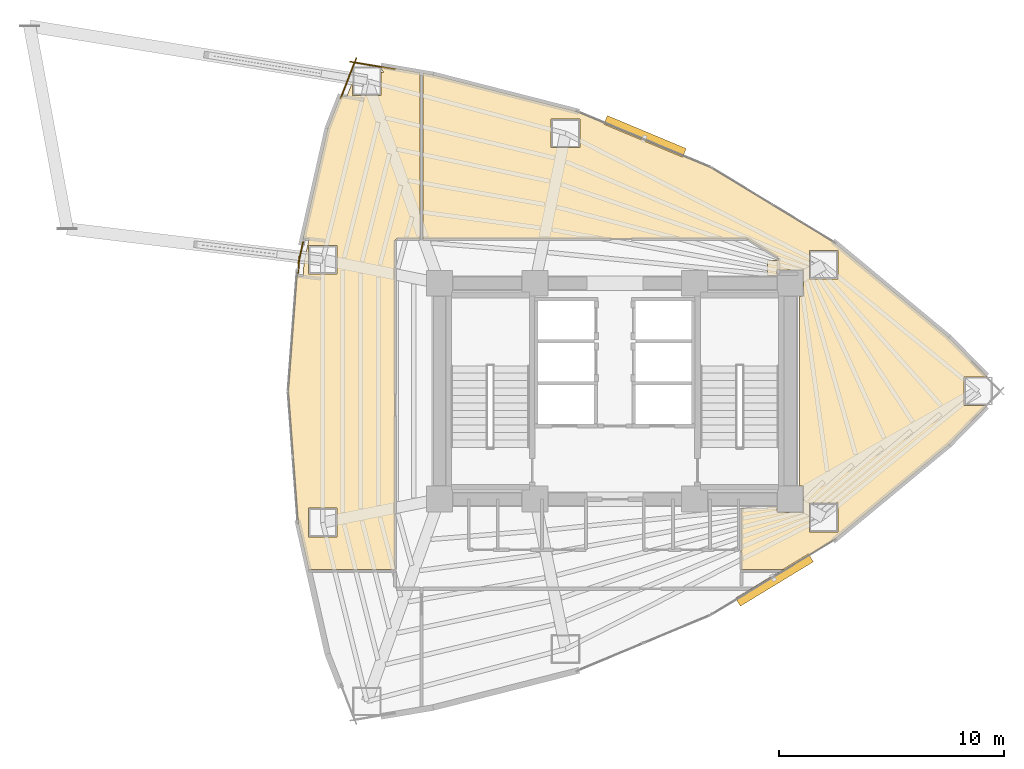
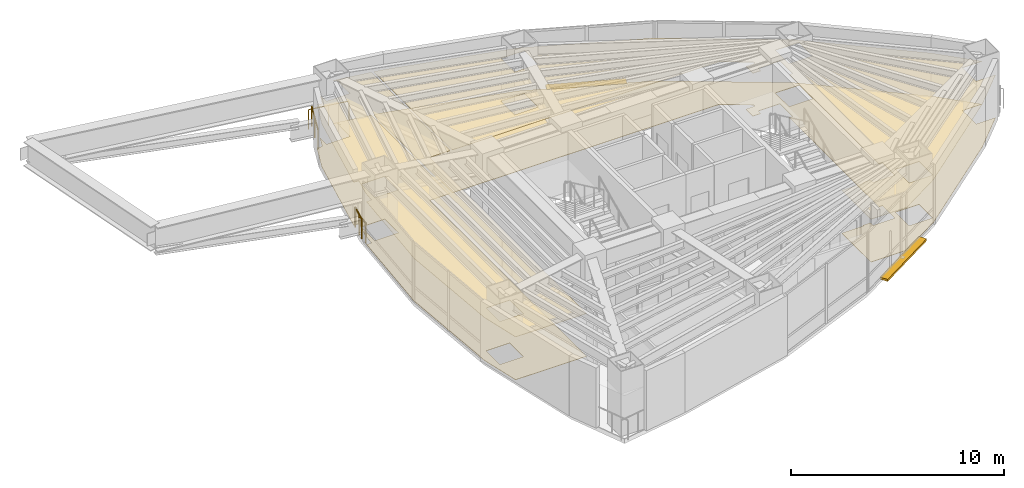
# One storey, part 16 of 17: 4 coverings, 4 railings, 2 shading devices.
"""IFC4 building model written with IfcOpenShell, lengths in metres."""

from ifc_helpers import new_model, si_unit, direction, frame, origin, origin_2d, place, context, subcontext, project, spatial, polyline, rectangle, circle, outline, extrude, material, layer, layer_set, type_object, element, save


model = new_model("IFC4")

# Units and contexts
model_context = context("Model", 3, precision=1e-05, world=origin(), true_north=direction((0.0, 1.0)))
body_context = subcontext(model_context, "Body", "Model", "MODEL_VIEW")
ifc_project = project(units=[si_unit("LENGTHUNIT", "METRE"), si_unit("AREAUNIT", "SQUARE_METRE"), si_unit("VOLUMEUNIT", "CUBIC_METRE"), si_unit("PLANEANGLEUNIT", "RADIAN"), si_unit("MASSUNIT", "GRAM", prefix="KILO")], contexts=[model_context])

# Site, building, storey
site_placement = place(None, origin())
site = spatial("IfcSite", under=ifc_project, at=site_placement, CompositionType="ELEMENT")
building_placement = place(site_placement, origin())
building = spatial("IfcBuilding", under=site, at=building_placement, Name="Menara Vayukalpa", CompositionType="ELEMENT")
storey_placement = place(building_placement, frame((0.0, 0.0, 100.260009765625)))
storey = spatial("IfcBuildingStorey", under=building, at=storey_placement, Name="L24", CompositionType="ELEMENT", Elevation=100.260009765625)

# Coverings
ifc_material_1 = material(Name="Mineral Fibre Acoustic Ceiling Tile", Category="masonry")
ifc_layer_1 = layer(ifc_material_1, 0.02490234375)
ifc_layer_set_1 = layer_set([ifc_layer_1], Name="Mineral Fibre Acoustic Ceiling Tile")
covering_type_1 = type_object("IfcCoveringType", Name="COV-CLG1", PredefinedType="CEILING", material=ifc_layer_set_1)
covering_1_placement = place(storey_placement, frame((0.0, 0.0, 2.449951171875)))
element("IfcCovering", 1, at=covering_1_placement, inside=storey, type_object=covering_type_1, Name="L24 Corporate Training Classroom Acoustic Ceiling", PredefinedType="CEILING", context=body_context, shape_type="SweptSolid", body=[
    extrude(outline(polyline([(32.81005859375, 16.85009765625), (32.81005859375, 16.610107421875), (33.989990234375, 16.610107421875), (33.989990234375, 17.7900390625), (33.81005859375, 17.7900390625), (33.81005859375, 26.2099609375), (33.989990234375, 26.2099609375), (33.989990234375, 27.389892578125), (32.81005859375, 27.389892578125), (32.81005859375, 27.14990234375), (32.389892578125, 27.14990234375), (32.389892578125, 27.81005859375), (32.8701171875, 27.81005859375), (32.8701171875, 27.89111328125), (32.86962890625, 27.8984375), (32.868408203125, 27.905517578125), (32.86669921875, 27.912353515625), (32.8642578125, 27.919189453125), (32.861083984375, 27.925537109375), (32.857177734375, 27.931640625), (32.852783203125, 27.937255859375), (32.847900390625, 27.9423828125), (32.84228515625, 27.947021484375), (32.836181640625, 27.951171875), (31.505126953125, 28.759765625), (31.49951171875, 28.762939453125), (31.49365234375, 28.765380859375), (31.487548828125, 28.767333984375), (31.481201171875, 28.768798828125), (31.47509765625, 28.769775390625), (31.468505859375, 28.77001953125), (17.070068359375, 28.77001953125), (17.069091796875, 28.77001953125), (17.068115234375, 28.770263671875), (17.067138671875, 28.7705078125), (17.066162109375, 28.770751953125), (17.065185546875, 28.771240234375), (17.064453125, 28.771728515625), (17.063720703125, 28.772216796875), (17.06298828125, 28.77294921875), (17.062255859375, 28.773681640625), (17.061767578125, 28.7744140625), (17.061279296875, 28.775390625), (17.060791015625, 28.776123046875), (17.060302734375, 28.777099609375), (17.060302734375, 28.778076171875), (17.06005859375, 28.779052734375), (17.06005859375, 28.780029296875), (17.06005859375, 36.133544921875), (17.06005859375, 36.134521484375), (17.060302734375, 36.135498046875), (17.060302734375, 36.136474609375), (17.060791015625, 36.137451171875), (17.06103515625, 36.13818359375), (17.0615234375, 36.13916015625), (17.062255859375, 36.139892578125), (17.062744140625, 36.140625), (17.0634765625, 36.14111328125), (17.064208984375, 36.141845703125), (17.065185546875, 36.142333984375), (17.06591796875, 36.142822265625), (17.06689453125, 36.14306640625), (17.06787109375, 36.143310546875), (17.06884765625, 36.1435546875), (17.06982421875, 36.1435546875), (17.07080078125, 36.1435546875), (17.07177734375, 36.1435546875), (17.5078125, 36.0693359375), (17.5087890625, 36.069091796875), (23.903564453125, 34.438232421875), (23.90478515625, 34.437744140625), (29.860595703125, 31.946533203125), (29.861328125, 31.9462890625), (29.862060546875, 31.94580078125), (35.379638671875, 28.593994140625), (35.380859375, 28.59326171875), (40.46044921875, 24.380615234375), (40.461181640625, 24.3798828125), (42.169677734375, 22.639892578125), (41.121826171875, 22.639892578125), (41.121826171875, 21.360107421875), (42.169677734375, 21.360107421875), (40.461181640625, 19.6201171875), (40.46044921875, 19.619384765625), (35.380859375, 15.40673828125), (35.379638671875, 15.406005859375), (33.1474609375, 14.050048828125), (33.146484375, 14.049560546875), (33.1455078125, 14.049072265625), (33.144775390625, 14.048828125), (33.143798828125, 14.048583984375), (33.142822265625, 14.048583984375), (33.141845703125, 14.048583984375), (33.140869140625, 14.048583984375), (33.139892578125, 14.048828125), (33.138916015625, 14.049072265625), (33.137939453125, 14.04931640625), (33.13720703125, 14.0498046875), (33.132080078125, 14.052978515625), (33.126708984375, 14.055419921875), (33.12109375, 14.057373046875), (33.115478515625, 14.058837890625), (33.109619140625, 14.059814453125), (33.103515625, 14.06005859375), (31.22998046875, 14.06005859375), (31.22900390625, 14.06005859375), (31.22802734375, 14.060302734375), (31.22705078125, 14.060302734375), (31.226318359375, 14.060791015625), (31.225341796875, 14.061279296875), (31.224365234375, 14.061767578125), (31.2236328125, 14.062255859375), (31.222900390625, 14.06298828125), (31.222412109375, 14.063720703125), (31.2216796875, 14.064453125), (31.22119140625, 14.065185546875), (31.220703125, 14.066162109375), (31.220458984375, 14.067138671875), (31.22021484375, 14.068115234375), (31.219970703125, 14.069091796875), (31.219970703125, 14.070068359375), (31.219970703125, 14.849609375), (31.219482421875, 14.856689453125), (31.21875, 14.86376953125), (31.217041015625, 14.870361328125), (31.214599609375, 14.876708984375), (31.2119140625, 14.8828125), (31.211669921875, 14.883056640625), (31.211181640625, 14.8837890625), (31.210693359375, 14.884765625), (31.21044921875, 14.8857421875), (31.210205078125, 14.88671875), (31.2099609375, 14.8876953125), (31.2099609375, 14.888671875), (31.2099609375, 16.780029296875), (31.2099609375, 16.781005859375), (31.210205078125, 16.781982421875), (31.21044921875, 16.782958984375), (31.210693359375, 16.78369140625), (31.211181640625, 16.78466796875), (31.211669921875, 16.78564453125), (31.21240234375, 16.786376953125), (31.212890625, 16.787109375), (31.213623046875, 16.78759765625), (31.21435546875, 16.788330078125), (31.21533203125, 16.788818359375), (31.21630859375, 16.789306640625), (31.217041015625, 16.78955078125), (31.218017578125, 16.789794921875), (31.218994140625, 16.7900390625), (31.219970703125, 16.7900390625), (32.389892578125, 16.7900390625), (32.389892578125, 16.85009765625), (32.81005859375, 16.85009765625)]), holes=[polyline([(35.52685546875, 17.018310546875), (34.246826171875, 17.018310546875), (34.246826171875, 15.73828125), (35.52685546875, 15.73828125), (35.52685546875, 17.018310546875)]), polyline([(35.52685546875, 26.981689453125), (35.52685546875, 28.26171875), (34.246826171875, 28.26171875), (34.246826171875, 26.981689453125), (35.52685546875, 26.981689453125)]), polyline([(24.048095703125, 32.827392578125), (24.048095703125, 34.107421875), (22.768310546875, 34.107421875), (22.768310546875, 32.827392578125), (24.048095703125, 32.827392578125)])]), origin(), (0.0, 0.0, 1.0), 0.025146484375),
])
covering_2_placement = place(storey_placement, frame((0.0, 0.0, 2.449951171875)))
element("IfcCovering", 2, at=covering_2_placement, inside=storey, type_object=covering_type_1, Name="L24 Staff Dining and Pantry Acoustic Ceiling", PredefinedType="CEILING", context=body_context, shape_type="SweptSolid", body=[
    extrude(outline(polyline([(11.078369140625, 22.0), (11.078369140625, 22.000732421875), (11.462646484375, 27.127685546875), (11.462890625, 27.128662109375), (11.463134765625, 27.129638671875), (11.46337890625, 27.130615234375), (11.4638671875, 27.131591796875), (11.46435546875, 27.13232421875), (11.46484375, 27.13330078125), (11.465576171875, 27.1337890625), (11.46630859375, 27.134521484375), (11.46728515625, 27.13525390625), (11.468017578125, 27.1357421875), (11.468994140625, 27.13623046875), (11.469970703125, 27.136474609375), (11.470947265625, 27.13671875), (11.471923828125, 27.136962890625), (11.472900390625, 27.136962890625), (11.473876953125, 27.13671875), (11.73193359375, 27.105712890625), (11.7841796875, 27.80419921875), (12.00048828125, 28.765380859375), (11.7421875, 28.796630859375), (11.7412109375, 28.796630859375), (11.740234375, 28.797119140625), (11.7392578125, 28.79736328125), (11.73828125, 28.7978515625), (11.737548828125, 28.79833984375), (11.73681640625, 28.798828125), (11.736083984375, 28.799560546875), (11.7353515625, 28.80029296875), (11.73486328125, 28.801025390625), (11.734375, 28.802001953125), (11.73388671875, 28.802978515625), (11.733642578125, 28.8037109375), (11.7333984375, 28.8046875), (11.7333984375, 28.805908203125), (11.7333984375, 28.806640625), (11.7333984375, 28.8076171875), (11.7333984375, 28.80859375), (12.831298828125, 33.687744140625), (12.83154296875, 33.6884765625), (12.831787109375, 33.689208984375), (13.397216796875, 35.129150390625), (13.397705078125, 35.1298828125), (13.398193359375, 35.130859375), (13.398681640625, 35.131591796875), (13.3994140625, 35.13232421875), (13.39990234375, 35.133056640625), (13.400634765625, 35.133544921875), (13.401611328125, 35.134033203125), (13.40234375, 35.134521484375), (13.4033203125, 35.135009765625), (13.404296875, 35.135009765625), (13.4052734375, 35.13525390625), (13.40625, 35.135498046875), (13.406982421875, 35.135498046875), (13.408203125, 35.13525390625), (13.6728515625, 35.09228515625), (13.92919921875, 35.74462890625), (13.92919921875, 35.157470703125), (15.208984375, 35.157470703125), (15.208984375, 36.185791015625), (15.32275390625, 36.16650390625), (15.314453125, 36.1826171875), (15.29541015625, 36.218994140625), (15.273193359375, 36.253662109375), (15.273193359375, 36.253662109375), (15.250732421875, 36.288330078125), (15.22509765625, 36.320556640625), (15.208984375, 36.34033203125), (15.208984375, 36.4375), (15.111572265625, 36.4375), (15.1103515625, 36.4384765625), (15.082275390625, 36.46240234375), (15.081298828125, 36.462890625), (15.080810546875, 36.463623046875), (15.080078125, 36.46435546875), (15.07958984375, 36.46533203125), (15.079345703125, 36.466064453125), (15.0791015625, 36.467041015625), (15.078857421875, 36.468017578125), (15.07861328125, 36.468994140625), (15.07861328125, 36.469970703125), (15.07861328125, 36.470947265625), (15.078857421875, 36.4716796875), (15.0791015625, 36.472900390625), (15.079345703125, 36.4736328125), (15.07958984375, 36.474609375), (15.080078125, 36.475341796875), (15.080810546875, 36.476318359375), (15.081298828125, 36.476806640625), (15.08203125, 36.4775390625), (15.0830078125, 36.47802734375), (15.083740234375, 36.478515625), (15.084716796875, 36.47900390625), (15.08544921875, 36.4794921875), (15.08642578125, 36.479736328125), (15.08740234375, 36.479736328125), (15.08837890625, 36.47998046875), (15.08935546875, 36.47998046875), (15.09033203125, 36.479736328125), (16.931640625, 36.167236328125), (16.9326171875, 36.1669921875), (16.93359375, 36.16650390625), (16.9345703125, 36.166259765625), (16.935302734375, 36.165771484375), (16.936279296875, 36.1650390625), (16.93701171875, 36.16455078125), (16.9375, 36.163818359375), (16.938232421875, 36.1630859375), (16.938720703125, 36.162109375), (16.939208984375, 36.1611328125), (16.939697265625, 36.160400390625), (16.939697265625, 36.1591796875), (16.93994140625, 36.158203125), (16.93994140625, 36.1572265625), (16.93994140625, 28.780029296875), (16.93994140625, 28.779052734375), (16.939697265625, 28.778076171875), (16.939697265625, 28.777099609375), (16.939208984375, 28.776123046875), (16.938720703125, 28.775390625), (16.938232421875, 28.7744140625), (16.937744140625, 28.773681640625), (16.93701171875, 28.77294921875), (16.936279296875, 28.772216796875), (16.935546875, 28.771728515625), (16.934814453125, 28.771240234375), (16.933837890625, 28.770751953125), (16.932861328125, 28.7705078125), (16.931884765625, 28.770263671875), (16.930908203125, 28.77001953125), (16.929931640625, 28.77001953125), (15.900390625, 28.77001953125), (15.893310546875, 28.76953125), (15.88623046875, 28.768798828125), (15.879638671875, 28.76708984375), (15.873291015625, 28.7646484375), (15.866943359375, 28.76171875), (15.861083984375, 28.75830078125), (15.85546875, 28.75390625), (15.8505859375, 28.74951171875), (15.845947265625, 28.744384765625), (15.841796875, 28.73876953125), (15.838134765625, 28.73291015625), (15.835205078125, 28.726806640625), (15.8330078125, 28.72021484375), (15.831298828125, 28.713623046875), (15.830322265625, 28.706787109375), (15.830078125, 28.69970703125), (15.830078125, 14.070068359375), (15.830078125, 14.069091796875), (15.829833984375, 14.068115234375), (15.82958984375, 14.067138671875), (15.8291015625, 14.066162109375), (15.828857421875, 14.065185546875), (15.828369140625, 14.064453125), (15.82763671875, 14.063720703125), (15.8271484375, 14.06298828125), (15.826416015625, 14.062255859375), (15.82568359375, 14.061767578125), (15.82470703125, 14.061279296875), (15.82373046875, 14.060791015625), (15.822998046875, 14.060302734375), (15.822021484375, 14.060302734375), (15.821044921875, 14.06005859375), (15.820068359375, 14.06005859375), (11.99609375, 14.06005859375), (11.9951171875, 14.06005859375), (11.994140625, 14.060302734375), (11.9931640625, 14.060302734375), (11.9921875, 14.060791015625), (11.991455078125, 14.06103515625), (11.990478515625, 14.0615234375), (11.989990234375, 14.062255859375), (11.989013671875, 14.062744140625), (11.988525390625, 14.0634765625), (11.98779296875, 14.064208984375), (11.9873046875, 14.065185546875), (11.98681640625, 14.06591796875), (11.986572265625, 14.06689453125), (11.986328125, 14.06787109375), (11.5166015625, 16.155029296875), (11.516357421875, 16.156494140625), (11.078369140625, 21.999267578125), (11.078369140625, 22.0)]), holes=[polyline([(13.24658203125, 16.794189453125), (11.966552734375, 16.794189453125), (11.966552734375, 15.514404296875), (13.24658203125, 15.514404296875), (13.24658203125, 16.794189453125)]), polyline([(13.24658203125, 28.485595703125), (11.966552734375, 28.485595703125), (11.966552734375, 27.205810546875), (13.24658203125, 27.205810546875), (13.24658203125, 28.485595703125)])]), origin(), (0.0, 0.0, 1.0), 0.025146484375),
])
ifc_material_2 = material(Name="Porcelain Stoneware Floor Tile", Category="masonry")
ifc_layer_2 = layer(ifc_material_2, 0.02001953125)
ifc_layer_set_2 = layer_set([ifc_layer_2], Name="Porcelain Stoneware Floor Tile")
covering_type_2 = type_object("IfcCoveringType", Name="COV-FLR1", PredefinedType="FLOORING", material=ifc_layer_set_2)
covering_3_placement = place(storey_placement, origin())
element("IfcCovering", 3, at=covering_3_placement, inside=storey, type_object=covering_type_2, Name="L24 Corporate Training Classroom Porcelain Flooring", PredefinedType="FLOORING", context=body_context, shape_type="SweptSolid", body=[
    extrude(outline(polyline([(32.81005859375, 16.85009765625), (32.81005859375, 16.610107421875), (33.989990234375, 16.610107421875), (33.989990234375, 17.7900390625), (33.81005859375, 17.7900390625), (33.81005859375, 26.2099609375), (33.989990234375, 26.2099609375), (33.989990234375, 27.389892578125), (32.81005859375, 27.389892578125), (32.81005859375, 27.14990234375), (32.389892578125, 27.14990234375), (32.389892578125, 27.81005859375), (32.8701171875, 27.81005859375), (32.8701171875, 27.89111328125), (32.86962890625, 27.8984375), (32.868408203125, 27.905517578125), (32.86669921875, 27.912353515625), (32.8642578125, 27.919189453125), (32.861083984375, 27.925537109375), (32.857177734375, 27.931640625), (32.852783203125, 27.937255859375), (32.847900390625, 27.9423828125), (32.84228515625, 27.947021484375), (32.836181640625, 27.951171875), (31.505126953125, 28.759765625), (31.49951171875, 28.762939453125), (31.49365234375, 28.765380859375), (31.487548828125, 28.767333984375), (31.481201171875, 28.768798828125), (31.47509765625, 28.769775390625), (31.468505859375, 28.77001953125), (17.070068359375, 28.77001953125), (17.069091796875, 28.77001953125), (17.068115234375, 28.770263671875), (17.067138671875, 28.7705078125), (17.066162109375, 28.770751953125), (17.065185546875, 28.771240234375), (17.064453125, 28.771728515625), (17.063720703125, 28.772216796875), (17.06298828125, 28.77294921875), (17.062255859375, 28.773681640625), (17.061767578125, 28.7744140625), (17.061279296875, 28.775390625), (17.060791015625, 28.776123046875), (17.060302734375, 28.777099609375), (17.060302734375, 28.778076171875), (17.06005859375, 28.779052734375), (17.06005859375, 28.780029296875), (17.06005859375, 36.133544921875), (17.06005859375, 36.134521484375), (17.060302734375, 36.135498046875), (17.060302734375, 36.136474609375), (17.060791015625, 36.137451171875), (17.06103515625, 36.13818359375), (17.0615234375, 36.13916015625), (17.062255859375, 36.139892578125), (17.062744140625, 36.140625), (17.0634765625, 36.14111328125), (17.064208984375, 36.141845703125), (17.065185546875, 36.142333984375), (17.06591796875, 36.142822265625), (17.06689453125, 36.14306640625), (17.06787109375, 36.143310546875), (17.06884765625, 36.1435546875), (17.06982421875, 36.1435546875), (17.07080078125, 36.1435546875), (17.07177734375, 36.1435546875), (17.5078125, 36.0693359375), (17.5087890625, 36.069091796875), (23.903564453125, 34.438232421875), (23.90478515625, 34.437744140625), (29.860595703125, 31.946533203125), (29.861328125, 31.9462890625), (29.862060546875, 31.94580078125), (35.379638671875, 28.593994140625), (35.380859375, 28.59326171875), (40.46044921875, 24.380615234375), (40.461181640625, 24.3798828125), (42.169677734375, 22.639892578125), (41.121826171875, 22.639892578125), (41.121826171875, 21.360107421875), (42.169677734375, 21.360107421875), (40.461181640625, 19.6201171875), (40.46044921875, 19.619384765625), (35.380859375, 15.40673828125), (35.379638671875, 15.406005859375), (33.1474609375, 14.050048828125), (33.146484375, 14.049560546875), (33.1455078125, 14.049072265625), (33.144775390625, 14.048828125), (33.143798828125, 14.048583984375), (33.142822265625, 14.048583984375), (33.141845703125, 14.048583984375), (33.140869140625, 14.048583984375), (33.139892578125, 14.048828125), (33.138916015625, 14.049072265625), (33.137939453125, 14.04931640625), (33.13720703125, 14.0498046875), (33.132080078125, 14.052978515625), (33.126708984375, 14.055419921875), (33.12109375, 14.057373046875), (33.115478515625, 14.058837890625), (33.109619140625, 14.059814453125), (33.103515625, 14.06005859375), (31.22998046875, 14.06005859375), (31.22900390625, 14.06005859375), (31.22802734375, 14.060302734375), (31.22705078125, 14.060302734375), (31.226318359375, 14.060791015625), (31.225341796875, 14.061279296875), (31.224365234375, 14.061767578125), (31.2236328125, 14.062255859375), (31.222900390625, 14.06298828125), (31.222412109375, 14.063720703125), (31.2216796875, 14.064453125), (31.22119140625, 14.065185546875), (31.220703125, 14.066162109375), (31.220458984375, 14.067138671875), (31.22021484375, 14.068115234375), (31.219970703125, 14.069091796875), (31.219970703125, 14.070068359375), (31.219970703125, 14.849609375), (31.219482421875, 14.856689453125), (31.21875, 14.86376953125), (31.217041015625, 14.870361328125), (31.214599609375, 14.876708984375), (31.2119140625, 14.8828125), (31.211669921875, 14.883056640625), (31.211181640625, 14.8837890625), (31.210693359375, 14.884765625), (31.21044921875, 14.8857421875), (31.210205078125, 14.88671875), (31.2099609375, 14.8876953125), (31.2099609375, 14.888671875), (31.2099609375, 16.780029296875), (31.2099609375, 16.781005859375), (31.210205078125, 16.781982421875), (31.21044921875, 16.782958984375), (31.210693359375, 16.78369140625), (31.211181640625, 16.78466796875), (31.211669921875, 16.78564453125), (31.21240234375, 16.786376953125), (31.212890625, 16.787109375), (31.213623046875, 16.78759765625), (31.21435546875, 16.788330078125), (31.21533203125, 16.788818359375), (31.21630859375, 16.789306640625), (31.217041015625, 16.78955078125), (31.218017578125, 16.789794921875), (31.218994140625, 16.7900390625), (31.219970703125, 16.7900390625), (32.389892578125, 16.7900390625), (32.389892578125, 16.85009765625), (32.81005859375, 16.85009765625)]), holes=[polyline([(35.52685546875, 17.018310546875), (34.246826171875, 17.018310546875), (34.246826171875, 15.73828125), (35.52685546875, 15.73828125), (35.52685546875, 17.018310546875)]), polyline([(35.52685546875, 26.981689453125), (35.52685546875, 28.26171875), (34.246826171875, 28.26171875), (34.246826171875, 26.981689453125), (35.52685546875, 26.981689453125)]), polyline([(24.048095703125, 32.827392578125), (24.048095703125, 34.107421875), (22.768310546875, 34.107421875), (22.768310546875, 32.827392578125), (24.048095703125, 32.827392578125)])]), origin(), (0.0, 0.0, 1.0), 0.02001953125),
])
covering_4_placement = place(storey_placement, origin())
element("IfcCovering", 4, at=covering_4_placement, inside=storey, type_object=covering_type_2, Name="L24 Staff Dining and Pantry Porcelain Flooring", PredefinedType="FLOORING", context=body_context, shape_type="SweptSolid", body=[
    extrude(outline(polyline([(11.078369140625, 22.0), (11.078369140625, 22.000732421875), (11.462646484375, 27.127685546875), (11.462890625, 27.128662109375), (11.463134765625, 27.129638671875), (11.46337890625, 27.130615234375), (11.4638671875, 27.131591796875), (11.46435546875, 27.13232421875), (11.46484375, 27.13330078125), (11.465576171875, 27.1337890625), (11.46630859375, 27.134521484375), (11.46728515625, 27.13525390625), (11.468017578125, 27.1357421875), (11.468994140625, 27.13623046875), (11.469970703125, 27.136474609375), (11.470947265625, 27.13671875), (11.471923828125, 27.136962890625), (11.472900390625, 27.136962890625), (11.473876953125, 27.13671875), (11.73193359375, 27.105712890625), (11.7841796875, 27.80419921875), (12.00048828125, 28.765380859375), (11.7421875, 28.796630859375), (11.7412109375, 28.796630859375), (11.740234375, 28.797119140625), (11.7392578125, 28.79736328125), (11.73828125, 28.7978515625), (11.737548828125, 28.79833984375), (11.73681640625, 28.798828125), (11.736083984375, 28.799560546875), (11.7353515625, 28.80029296875), (11.73486328125, 28.801025390625), (11.734375, 28.802001953125), (11.73388671875, 28.802978515625), (11.733642578125, 28.8037109375), (11.7333984375, 28.8046875), (11.7333984375, 28.805908203125), (11.7333984375, 28.806640625), (11.7333984375, 28.8076171875), (11.7333984375, 28.80859375), (12.831298828125, 33.687744140625), (12.83154296875, 33.6884765625), (12.831787109375, 33.689208984375), (13.397216796875, 35.129150390625), (13.397705078125, 35.1298828125), (13.398193359375, 35.130859375), (13.398681640625, 35.131591796875), (13.3994140625, 35.13232421875), (13.39990234375, 35.133056640625), (13.400634765625, 35.133544921875), (13.401611328125, 35.134033203125), (13.40234375, 35.134521484375), (13.4033203125, 35.135009765625), (13.404296875, 35.135009765625), (13.4052734375, 35.13525390625), (13.40625, 35.135498046875), (13.406982421875, 35.135498046875), (13.408203125, 35.13525390625), (13.6728515625, 35.09228515625), (13.92919921875, 35.74462890625), (13.92919921875, 35.157470703125), (15.208984375, 35.157470703125), (15.208984375, 36.185791015625), (15.32275390625, 36.16650390625), (15.314453125, 36.1826171875), (15.29541015625, 36.218994140625), (15.273193359375, 36.253662109375), (15.273193359375, 36.253662109375), (15.250732421875, 36.288330078125), (15.22509765625, 36.320556640625), (15.208984375, 36.34033203125), (15.208984375, 36.4375), (15.111572265625, 36.4375), (15.1103515625, 36.4384765625), (15.082275390625, 36.46240234375), (15.081298828125, 36.462890625), (15.080810546875, 36.463623046875), (15.080078125, 36.46435546875), (15.07958984375, 36.46533203125), (15.079345703125, 36.466064453125), (15.0791015625, 36.467041015625), (15.078857421875, 36.468017578125), (15.07861328125, 36.468994140625), (15.07861328125, 36.469970703125), (15.07861328125, 36.470947265625), (15.078857421875, 36.4716796875), (15.0791015625, 36.472900390625), (15.079345703125, 36.4736328125), (15.07958984375, 36.474609375), (15.080078125, 36.475341796875), (15.080810546875, 36.476318359375), (15.081298828125, 36.476806640625), (15.08203125, 36.4775390625), (15.0830078125, 36.47802734375), (15.083740234375, 36.478515625), (15.084716796875, 36.47900390625), (15.08544921875, 36.4794921875), (15.08642578125, 36.479736328125), (15.08740234375, 36.479736328125), (15.08837890625, 36.47998046875), (15.08935546875, 36.47998046875), (15.09033203125, 36.479736328125), (16.931640625, 36.167236328125), (16.9326171875, 36.1669921875), (16.93359375, 36.16650390625), (16.9345703125, 36.166259765625), (16.935302734375, 36.165771484375), (16.936279296875, 36.1650390625), (16.93701171875, 36.16455078125), (16.9375, 36.163818359375), (16.938232421875, 36.1630859375), (16.938720703125, 36.162109375), (16.939208984375, 36.1611328125), (16.939697265625, 36.160400390625), (16.939697265625, 36.1591796875), (16.93994140625, 36.158203125), (16.93994140625, 36.1572265625), (16.93994140625, 28.780029296875), (16.93994140625, 28.779052734375), (16.939697265625, 28.778076171875), (16.939697265625, 28.777099609375), (16.939208984375, 28.776123046875), (16.938720703125, 28.775390625), (16.938232421875, 28.7744140625), (16.937744140625, 28.773681640625), (16.93701171875, 28.77294921875), (16.936279296875, 28.772216796875), (16.935546875, 28.771728515625), (16.934814453125, 28.771240234375), (16.933837890625, 28.770751953125), (16.932861328125, 28.7705078125), (16.931884765625, 28.770263671875), (16.930908203125, 28.77001953125), (16.929931640625, 28.77001953125), (15.900390625, 28.77001953125), (15.893310546875, 28.76953125), (15.88623046875, 28.768798828125), (15.879638671875, 28.76708984375), (15.873291015625, 28.7646484375), (15.866943359375, 28.76171875), (15.861083984375, 28.75830078125), (15.85546875, 28.75390625), (15.8505859375, 28.74951171875), (15.845947265625, 28.744384765625), (15.841796875, 28.73876953125), (15.838134765625, 28.73291015625), (15.835205078125, 28.726806640625), (15.8330078125, 28.72021484375), (15.831298828125, 28.713623046875), (15.830322265625, 28.706787109375), (15.830078125, 28.69970703125), (15.830078125, 14.070068359375), (15.830078125, 14.069091796875), (15.829833984375, 14.068115234375), (15.82958984375, 14.067138671875), (15.8291015625, 14.066162109375), (15.828857421875, 14.065185546875), (15.828369140625, 14.064453125), (15.82763671875, 14.063720703125), (15.8271484375, 14.06298828125), (15.826416015625, 14.062255859375), (15.82568359375, 14.061767578125), (15.82470703125, 14.061279296875), (15.82373046875, 14.060791015625), (15.822998046875, 14.060302734375), (15.822021484375, 14.060302734375), (15.821044921875, 14.06005859375), (15.820068359375, 14.06005859375), (11.99609375, 14.06005859375), (11.9951171875, 14.06005859375), (11.994140625, 14.060302734375), (11.9931640625, 14.060302734375), (11.9921875, 14.060791015625), (11.991455078125, 14.06103515625), (11.990478515625, 14.0615234375), (11.989990234375, 14.062255859375), (11.989013671875, 14.062744140625), (11.988525390625, 14.0634765625), (11.98779296875, 14.064208984375), (11.9873046875, 14.065185546875), (11.98681640625, 14.06591796875), (11.986572265625, 14.06689453125), (11.986328125, 14.06787109375), (11.5166015625, 16.155029296875), (11.516357421875, 16.156494140625), (11.078369140625, 21.999267578125), (11.078369140625, 22.0)]), holes=[polyline([(13.24658203125, 16.794189453125), (11.966552734375, 16.794189453125), (11.966552734375, 15.514404296875), (13.24658203125, 15.514404296875), (13.24658203125, 16.794189453125)]), polyline([(13.24658203125, 28.485595703125), (11.966552734375, 28.485595703125), (11.966552734375, 27.205810546875), (13.24658203125, 27.205810546875), (13.24658203125, 28.485595703125)])]), origin(), (0.0, 0.0, 1.0), 0.02001953125),
])

# Railings
ifc_material_3 = material(Name="Laminated Glass and Stainless Steel 316 Guardrail", Category="steel")
railing_type = type_object("IfcRailingType", Name="RLG-EXT115", PredefinedType="GUARDRAIL", material=ifc_material_3)
railing_1_placement = place(storey_placement, frame((15.818359375, 36.315673828125, 0.0)))
element("IfcRailing", 5, at=railing_1_placement, inside=storey, type_object=railing_type, Name="L24 Column Corner Spandrel Guardrail 07-1", PredefinedType="GUARDRAIL", context=body_context, shape_type="SweptSolid", body=[
    extrude(circle(Radius=0.02392578125, at=origin_2d()), frame((0.0, 0.0, 1.1259765625), z_axis=(-0.985895977605, 0.16735925831, 0.0), x_axis=(-0.16735925831, -0.985895977605, 0.0)), (0.0, 0.0, 1.0), 2.01904296875),
    extrude(circle(Radius=0.02099609375, at=origin_2d()), origin(), (0.0, 0.0, 1.0), 1.101806640625),
    extrude(circle(Radius=0.02099609375, at=origin_2d()), frame((-0.9951171875, 0.1689453125, 0.0)), (0.0, 0.0, 1.0), 1.101806640625),
    extrude(circle(Radius=0.02099609375, at=origin_2d()), frame((-1.990478515625, 0.337890625, 0.0)), (0.0, 0.0, 1.0), 1.101806640625),
])
railing_2_placement = place(storey_placement, frame((14.09912109375, 36.806640625, 0.0)))
element("IfcRailing", 6, at=railing_2_placement, inside=storey, type_object=railing_type, Name="L24 Column Corner Spandrel Guardrail 08-1", PredefinedType="GUARDRAIL", context=body_context, shape_type="SweptSolid", body=[
    extrude(circle(Radius=0.02392578125, at=origin_2d()), frame((0.0, 0.0, 1.1259765625), z_axis=(-0.365573386764, -0.930782519652, 0.0), x_axis=(0.930782519652, -0.365573386764, 0.0)), (0.0, 0.0, 1.0), 1.91259765625),
    extrude(circle(Radius=0.02099609375, at=origin_2d()), origin(), (0.0, 0.0, 1.0), 1.101806640625),
    extrude(circle(Radius=0.02099609375, at=origin_2d()), frame((-0.349609375, -0.89013671875, 0.0)), (0.0, 0.0, 1.0), 1.101806640625),
    extrude(circle(Radius=0.02099609375, at=origin_2d()), frame((-0.69921875, -1.7802734375, 0.0)), (0.0, 0.0, 1.0), 1.101806640625),
])
railing_3_placement = place(storey_placement, frame((11.734375, 28.63037109375, 0.0)))
element("IfcRailing", 7, at=railing_3_placement, inside=storey, type_object=railing_type, Name="L24 Column Corner Spandrel Guardrail 09-1", PredefinedType="GUARDRAIL", context=body_context, shape_type="SweptSolid", body=[
    extrude(circle(Radius=0.02392578125, at=origin_2d()), frame((0.0, 0.0, 1.1259765625), z_axis=(-0.219500283844, -0.975612436059, 0.0), x_axis=(0.975612436059, -0.219500283844, 0.0)), (0.0, 0.0, 1.0), 0.975341796875),
    extrude(circle(Radius=0.02099609375, at=origin_2d()), origin(), (0.0, 0.0, 1.0), 1.101806640625),
    extrude(circle(Radius=0.02099609375, at=origin_2d()), frame((-0.214111328125, -0.95166015625, 0.0)), (0.0, 0.0, 1.0), 1.101806640625),
])
railing_4_placement = place(storey_placement, frame((11.568359375, 28.00146484375, 0.0)))
element("IfcRailing", 8, at=railing_4_placement, inside=storey, type_object=railing_type, Name="L24 Column Corner Spandrel Guardrail 10-1", PredefinedType="GUARDRAIL", context=body_context, shape_type="SweptSolid", body=[
    extrude(circle(Radius=0.02392578125, at=origin_2d()), frame((0.0, 0.0, 1.1259765625), z_axis=(-0.074659125542, -0.997209112961, 0.0), x_axis=(0.997209112961, -0.074659125542, 0.0)), (0.0, 0.0, 1.0), 0.7421875),
    extrude(circle(Radius=0.02099609375, at=origin_2d()), origin(), (0.0, 0.0, 1.0), 1.101806640625),
    extrude(circle(Radius=0.02099609375, at=origin_2d()), frame((-0.055419921875, -0.740234375, 0.0)), (0.0, 0.0, 1.0), 1.101806640625),
])

# Shading devices
ifc_material_4 = material(Name="Glazed Terracotta Ceramic Baguette Extrusion", Category="masonry")
ifc_layer_3 = layer(ifc_material_4, 0.1201171875)
ifc_layer_set_3 = layer_set([ifc_layer_3], Name="Glazed Terracotta Ceramic Baguette Extrusion")
shading_device_type = type_object("IfcShadingDeviceType", Name="SHD-SS1", PredefinedType="USERDEFINED", material=ifc_layer_set_3)
for number, where, z_axis, x_axis, name in (
    (9, (26.940673828125, 33.33056640625, -0.10009765625), (0.0, 0.0, 1.0), (-0.922544824647, 0.385889940938, 0.0), "L24 Horizontal Terracotta Sunshade Band 05"),
    (10, (32.698486328125, 13.601806640625, -0.10009765625), (0.0, 0.0, 1.0), (0.85466730962, 0.519176068272, 0.0), "L24 Horizontal Terracotta Sunshade Band 17"),
):
    element("IfcShadingDevice", number, at=place(storey_placement, frame(where, z_axis=z_axis, x_axis=x_axis)), inside=storey, type_object=shading_device_type, Name=name, ObjectType="SUNSHADE", PredefinedType="USERDEFINED", context=body_context, shape_type="SweptSolid", body=[
        extrude(rectangle(XDim=3.800048828125, YDim=0.419921875, at=origin_2d()), origin(), (0.0, 0.0, 1.0), 0.1201171875),
    ])

save(model, "model.ifc")
